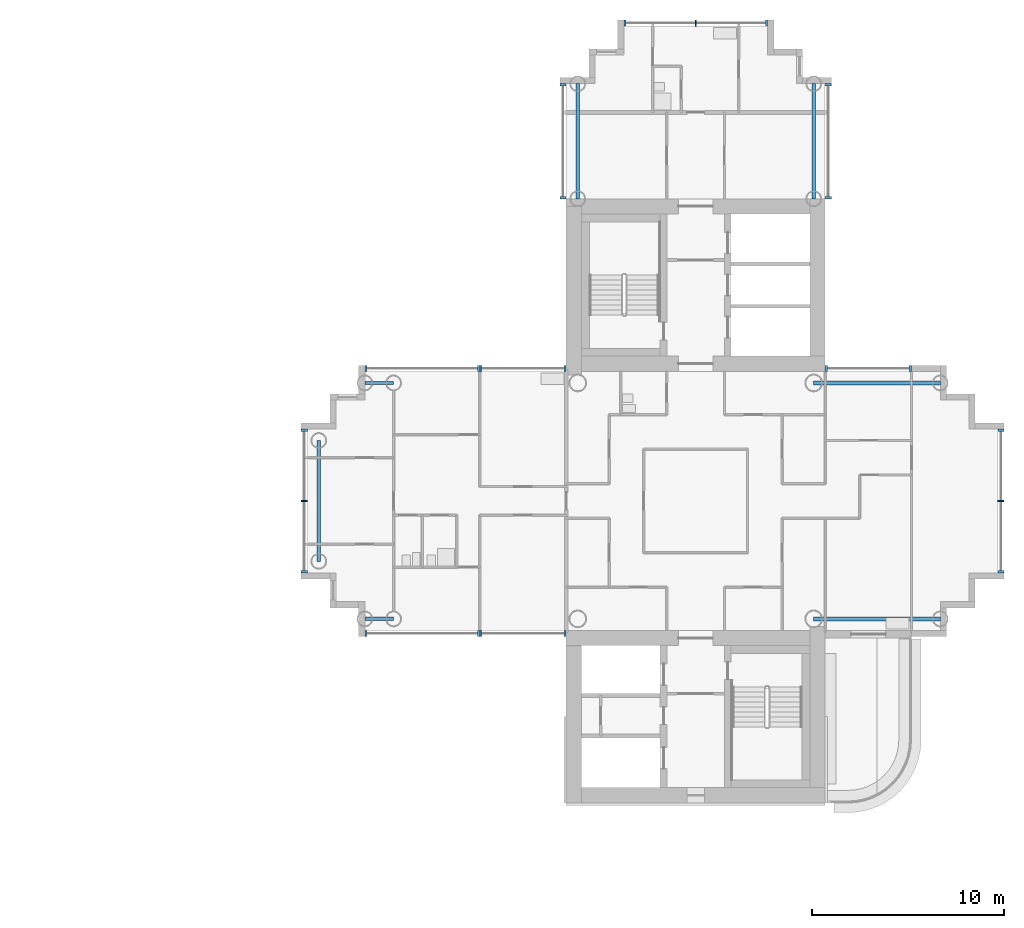
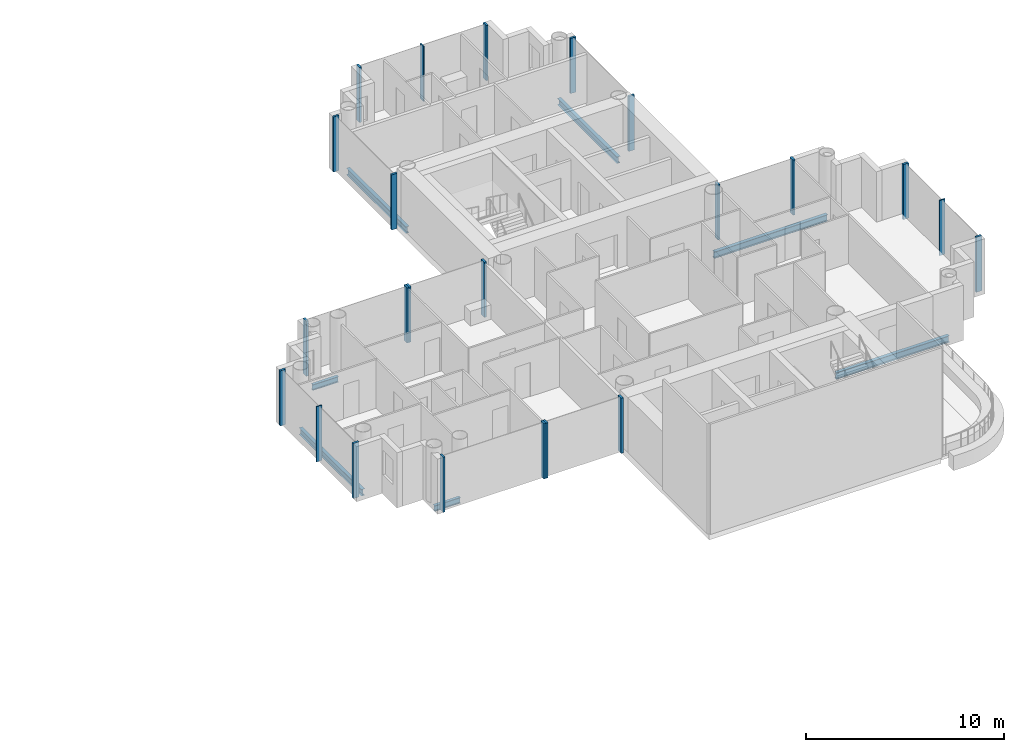
# One storey, part 4 of 20: 23 members, 7 beams, 10 elements without a shape of their own.
"""IFC4 building model written with IfcOpenShell, lengths in metres."""

from ifc_helpers import new_model, si_unit, direction, frame, origin, origin_2d, place, context, subcontext, project, spatial, rectangle, i_section, extrude, material, layer, layer_set, material_profile, profile_set, type_object, element, aggregate, save


model = new_model("IFC4")

# Units and contexts
model_context = context("Model", 3, precision=1e-05, world=origin(), true_north=direction((0.0, 1.0)))
body_context = subcontext(model_context, "Body", "Model", "MODEL_VIEW")
ifc_project = project(units=[si_unit("LENGTHUNIT", "METRE"), si_unit("AREAUNIT", "SQUARE_METRE"), si_unit("VOLUMEUNIT", "CUBIC_METRE"), si_unit("PLANEANGLEUNIT", "RADIAN"), si_unit("MASSUNIT", "GRAM", prefix="KILO")], contexts=[model_context])

# Site, building, storey
site_placement = place(None, origin())
site = spatial("IfcSite", under=ifc_project, at=site_placement, CompositionType="ELEMENT")
building_placement = place(site_placement, origin())
building = spatial("IfcBuilding", under=site, at=building_placement, Name="Ipe Terrace Towers", CompositionType="ELEMENT")
storey_placement = place(building_placement, frame((0.0, 0.0, 154.10009765625)))
storey = spatial("IfcBuildingStorey", under=building, at=storey_placement, Name="L42", CompositionType="ELEMENT", Elevation=154.10009765625)

# Beams
ifc_material_1 = material(Name="Steel S355", Category="steel")
ifc_material_profile_1 = material_profile(ifc_material_1, i_section(OverallWidth=0.175048828125, OverallDepth=0.35009765625, WebThickness=0.007080078125, FlangeThickness=0.010986328125, at=origin_2d()), Name="H-350x175x7x11")
ifc_profile_set_1 = profile_set([ifc_material_profile_1], Name="Steel S355")
beam_type_1 = type_object("IfcBeamType", Name="H04 EDGE BEAM H-350x175x7x11", PredefinedType="BEAM", material=ifc_profile_set_1)
for number, where, z_axis, x_axis, name in (
    (1, (20.25, 6.14990234375, -0.5751953125), (-1.0, 0.0, 0.0), (0.0, -1.0, 0.0), "Edge beam T2-EB-B03-B05"),
    (2, (20.25, -6.14990234375, -0.5751953125), (-1.0, 0.0, 0.0), (0.0, -1.0, 0.0), "Edge beam T2-EB-B04-B06"),
):
    element("IfcBeam", number, at=place(storey_placement, frame(where, z_axis=z_axis, x_axis=x_axis)), inside=storey, type_object=beam_type_1, Name=name, PredefinedType="BEAM", context=body_context, shape_type="SweptSolid", body=[
        extrude(i_section(OverallWidth=0.175048828125, OverallDepth=0.35009765625, WebThickness=0.007080078125, FlangeThickness=0.010986328125, at=origin_2d()), origin(), (0.0, 0.0, 1.0), 1.5),
    ])
ifc_material_2 = material(Name="Steel S355", Category="steel")
ifc_material_profile_2 = material_profile(ifc_material_2, i_section(OverallWidth=0.199951171875, OverallDepth=0.39990234375, WebThickness=0.008056640625, FlangeThickness=0.012939453125, at=origin_2d()), Name="H-400x200x8x13")
ifc_profile_set_2 = profile_set([ifc_material_profile_2], Name="Steel S355")
beam_type_2 = type_object("IfcBeamType", Name="H06 EDGE BEAM H-400x200x8x13", PredefinedType="BEAM", material=ifc_profile_set_2)
for number, where, z_axis, x_axis, name in (
    (3, (42.14990234375, 15.75, -0.60009765625), (0.0, 1.0, 0.0), (-1.0, 0.0, 0.0), "Edge beam T2-EB-A01-A03"),
    (4, (29.85009765625, 15.75, -0.60009765625), (0.0, 1.0, 0.0), (-1.0, 0.0, 0.0), "Edge beam T2-EB-A02-A04"),
):
    element("IfcBeam", number, at=place(storey_placement, frame(where, z_axis=z_axis, x_axis=x_axis)), inside=storey, type_object=beam_type_2, Name=name, PredefinedType="BEAM", context=body_context, shape_type="SweptSolid", body=[
        extrude(i_section(OverallWidth=0.199951171875, OverallDepth=0.39990234375, WebThickness=0.008056640625, FlangeThickness=0.012939453125, at=origin_2d()), origin(), (0.0, 0.0, 1.0), 6.0),
    ])
beam_placement = place(storey_placement, frame((16.35009765625, 3.14990234375, -0.60009765625), z_axis=(0.0, -1.0, 0.0), x_axis=(1.0, 0.0, 0.0)))
element("IfcBeam", 5, at=beam_placement, inside=storey, type_object=beam_type_2, Name="Edge beam T2-EB-B07-B08", PredefinedType="BEAM", context=body_context, shape_type="SweptSolid", body=[
    extrude(i_section(OverallWidth=0.199951171875, OverallDepth=0.39990234375, WebThickness=0.008056640625, FlangeThickness=0.012939453125, at=origin_2d()), origin(), (0.0, 0.0, 1.0), 6.2998046875),
])
for number, where, z_axis, x_axis, name in (
    (6, (48.75, -6.14990234375, -0.60009765625), (-1.0, 0.0, 0.0), (0.0, -1.0, 0.0), "Edge beam T2-EB-D01-E01"),
    (7, (48.75, 6.14990234375, -0.60009765625), (-1.0, 0.0, 0.0), (0.0, -1.0, 0.0), "Edge beam T2-EB-D02-E02"),
):
    element("IfcBeam", number, at=place(storey_placement, frame(where, z_axis=z_axis, x_axis=x_axis)), inside=storey, type_object=beam_type_2, Name=name, PredefinedType="BEAM", context=body_context, shape_type="SweptSolid", body=[
        extrude(i_section(OverallWidth=0.199951171875, OverallDepth=0.39990234375, WebThickness=0.008056640625, FlangeThickness=0.012939453125, at=origin_2d()), origin(), (0.0, 0.0, 1.0), 6.60009765625),
    ])

# Curtain wall, members
ifc_material_3 = material(Name="Aluminium alloy 6063-T6", Category="aluminium")
ifc_layer = layer(ifc_material_3, 0.320068359375)
ifc_layer_set = layer_set([ifc_layer], Name="TOWER UNITISED CURTAIN WALL")
curtain_wall_type = type_object("IfcCurtainWallType", Name="TOWER UNITISED CURTAIN WALL", PredefinedType="NOTDEFINED", material=ifc_layer_set)
curtain_wall_1_placement = place(storey_placement, origin())
curtain_wall_1 = element("IfcCurtainWall", 8, at=curtain_wall_1_placement, inside=storey, type_object=curtain_wall_type, Name="T2-CW-L42-08a curtain wall", PredefinedType="NOTDEFINED")
ifc_material_4 = material(Name="Aluminium alloy 6063-T6", Category="aluminium")
ifc_material_profile_3 = material_profile(ifc_material_4, rectangle(XDim=0.320068359375, YDim=0.1201171875, at=origin_2d()), Name="TOWER UNITISED CORNER MULLION 320 x 120")
ifc_profile_set_3 = profile_set([ifc_material_profile_3], Name="Aluminium alloy 6063-T6")
member_type_1 = type_object("IfcMemberType", Name="TOWER UNITISED CORNER MULLION 320 x 120", PredefinedType="MULLION", material=ifc_profile_set_3)
member_1_placement = place(storey_placement, frame((51.909912109375, -3.68994140625, -0.300048828125), z_axis=(0.0, 0.0, 1.0), x_axis=(1.0, 0.0, 0.0)))
member_1 = element("IfcMember", 9, at=member_1_placement, type_object=member_type_1, Name="T2-CW-L42-08a mullion 1", PredefinedType="MULLION", context=body_context, shape_type="SweptSolid", body=[
    extrude(rectangle(XDim=0.320068359375, YDim=0.1201171875, at=origin_2d()), origin(), (0.0, 0.0, 1.0), 3.39990234375),
])
member_2_placement = place(storey_placement, frame((51.909912109375, 3.68994140625, -0.300048828125), z_axis=(0.0, 0.0, 1.0), x_axis=(1.0, 0.0, 0.0)))
member_2 = element("IfcMember", 10, at=member_2_placement, type_object=member_type_1, Name="T2-CW-L42-08a mullion 3", PredefinedType="MULLION", context=body_context, shape_type="SweptSolid", body=[
    extrude(rectangle(XDim=0.320068359375, YDim=0.1201171875, at=origin_2d()), origin(), (0.0, 0.0, 1.0), 3.39990234375),
])

curtain_wall_2_placement = place(storey_placement, origin())
curtain_wall_2 = element("IfcCurtainWall", 11, at=curtain_wall_2_placement, inside=storey, type_object=curtain_wall_type, Name="T2-CW-L42-14a curtain wall", PredefinedType="NOTDEFINED")
member_3_placement = place(storey_placement, frame((47.18994140625, 6.909912109375, -0.300048828125), z_axis=(0.0, 0.0, 1.0), x_axis=(0.0, 1.0, 0.0)))
member_3 = element("IfcMember", 12, at=member_3_placement, type_object=member_type_1, Name="T2-CW-L42-14a mullion 1", PredefinedType="MULLION", context=body_context, shape_type="SweptSolid", body=[
    extrude(rectangle(XDim=0.320068359375, YDim=0.1201171875, at=origin_2d()), origin(), (0.0, 0.0, 1.0), 3.39990234375),
])
member_4_placement = place(storey_placement, frame((42.81005859375, 6.909912109375, -0.300048828125), z_axis=(0.0, 0.0, 1.0), x_axis=(0.0, 1.0, 0.0)))
member_4 = element("IfcMember", 13, at=member_4_placement, type_object=member_type_1, Name="T2-CW-L42-14a mullion 2", PredefinedType="MULLION", context=body_context, shape_type="SweptSolid", body=[
    extrude(rectangle(XDim=0.320068359375, YDim=0.1201171875, at=origin_2d()), origin(), (0.0, 0.0, 1.0), 3.39990234375),
])
aggregate(curtain_wall_2, [member_3, member_4])

curtain_wall_3_placement = place(storey_placement, origin())
curtain_wall_3 = element("IfcCurtainWall", 14, at=curtain_wall_3_placement, inside=storey, type_object=curtain_wall_type, Name="T2-CW-L42-16b curtain wall", PredefinedType="NOTDEFINED")
member_5_placement = place(storey_placement, frame((42.909912109375, 15.81103515625, -0.300048828125), z_axis=(0.0, 0.0, 1.0), x_axis=(1.0, 0.0, 0.0)))
member_5 = element("IfcMember", 15, at=member_5_placement, type_object=member_type_1, Name="T2-CW-L42-16b mullion 1", PredefinedType="MULLION", context=body_context, shape_type="SweptSolid", body=[
    extrude(rectangle(XDim=0.320068359375, YDim=0.1201171875, at=origin_2d()), origin(), (0.0, 0.0, 1.0), 3.39990234375),
])
member_6_placement = place(storey_placement, frame((42.909912109375, 21.68994140625, -0.300048828125), z_axis=(0.0, 0.0, 1.0), x_axis=(1.0, 0.0, 0.0)))
member_6 = element("IfcMember", 16, at=member_6_placement, type_object=member_type_1, Name="T2-CW-L42-16b mullion 2", PredefinedType="MULLION", context=body_context, shape_type="SweptSolid", body=[
    extrude(rectangle(XDim=0.320068359375, YDim=0.1201171875, at=origin_2d()), origin(), (0.0, 0.0, 1.0), 3.39990234375),
])
aggregate(curtain_wall_3, [member_5, member_6])

curtain_wall_4_placement = place(storey_placement, origin())
curtain_wall_4 = element("IfcCurtainWall", 17, at=curtain_wall_4_placement, inside=storey, type_object=curtain_wall_type, Name="T2-CW-L42-21a curtain wall", PredefinedType="NOTDEFINED")
member_7_placement = place(storey_placement, frame((39.68994140625, 24.909912109375, -0.300048828125), z_axis=(0.0, 0.0, 1.0), x_axis=(0.0, 1.0, 0.0)))
member_7 = element("IfcMember", 18, at=member_7_placement, type_object=member_type_1, Name="T2-CW-L42-21a mullion 1", PredefinedType="MULLION", context=body_context, shape_type="SweptSolid", body=[
    extrude(rectangle(XDim=0.320068359375, YDim=0.1201171875, at=origin_2d()), origin(), (0.0, 0.0, 1.0), 3.39990234375),
])
member_8_placement = place(storey_placement, frame((32.31005859375, 24.909912109375, -0.300048828125), z_axis=(0.0, 0.0, 1.0), x_axis=(0.0, 1.0, 0.0)))
member_8 = element("IfcMember", 19, at=member_8_placement, type_object=member_type_1, Name="T2-CW-L42-21a mullion 3", PredefinedType="MULLION", context=body_context, shape_type="SweptSolid", body=[
    extrude(rectangle(XDim=0.320068359375, YDim=0.1201171875, at=origin_2d()), origin(), (0.0, 0.0, 1.0), 3.39990234375),
])

curtain_wall_5_placement = place(storey_placement, origin())
curtain_wall_5 = element("IfcCurtainWall", 20, at=curtain_wall_5_placement, inside=storey, type_object=curtain_wall_type, Name="T2-CW-L42-26a curtain wall", PredefinedType="NOTDEFINED")
member_9_placement = place(storey_placement, frame((29.090087890625, 21.68994140625, -0.300048828125), z_axis=(0.0, 0.0, 1.0), x_axis=(-1.0, 0.0, 0.0)))
member_9 = element("IfcMember", 21, at=member_9_placement, type_object=member_type_1, Name="T2-CW-L42-26a mullion 1", PredefinedType="MULLION", context=body_context, shape_type="SweptSolid", body=[
    extrude(rectangle(XDim=0.320068359375, YDim=0.1201171875, at=origin_2d()), origin(), (0.0, 0.0, 1.0), 3.39990234375),
])
member_10_placement = place(storey_placement, frame((29.090087890625, 15.81103515625, -0.300048828125), z_axis=(0.0, 0.0, 1.0), x_axis=(-1.0, 0.0, 0.0)))
member_10 = element("IfcMember", 22, at=member_10_placement, type_object=member_type_1, Name="T2-CW-L42-26a mullion 2", PredefinedType="MULLION", context=body_context, shape_type="SweptSolid", body=[
    extrude(rectangle(XDim=0.320068359375, YDim=0.1201171875, at=origin_2d()), origin(), (0.0, 0.0, 1.0), 3.39990234375),
])
aggregate(curtain_wall_5, [member_9, member_10])

curtain_wall_6_placement = place(storey_placement, origin())
curtain_wall_6 = element("IfcCurtainWall", 23, at=curtain_wall_6_placement, inside=storey, type_object=curtain_wall_type, Name="T2-CW-L42-28a curtain wall", PredefinedType="NOTDEFINED")
member_11_placement = place(storey_placement, frame((29.18994140625, 6.909912109375, -0.300048828125), z_axis=(0.0, 0.0, 1.0), x_axis=(0.0, 1.0, 0.0)))
member_11 = element("IfcMember", 24, at=member_11_placement, type_object=member_type_1, Name="T2-CW-L42-28a mullion 1", PredefinedType="MULLION", context=body_context, shape_type="SweptSolid", body=[
    extrude(rectangle(XDim=0.320068359375, YDim=0.1201171875, at=origin_2d()), origin(), (0.0, 0.0, 1.0), 3.39990234375),
])
member_12_placement = place(storey_placement, frame((24.81005859375, 6.909912109375, -0.300048828125), z_axis=(0.0, 0.0, 1.0), x_axis=(0.0, 1.0, 0.0)))
member_12 = element("IfcMember", 25, at=member_12_placement, type_object=member_type_1, Name="T2-CW-L42-28a mullion 2", PredefinedType="MULLION", context=body_context, shape_type="SweptSolid", body=[
    extrude(rectangle(XDim=0.320068359375, YDim=0.1201171875, at=origin_2d()), origin(), (0.0, 0.0, 1.0), 3.39990234375),
])
aggregate(curtain_wall_6, [member_11, member_12])

curtain_wall_7_placement = place(storey_placement, origin())
curtain_wall_7 = element("IfcCurtainWall", 26, at=curtain_wall_7_placement, inside=storey, type_object=curtain_wall_type, Name="T2-CW-L42-29a curtain wall", PredefinedType="NOTDEFINED")
member_13_placement = place(storey_placement, frame((24.68994140625, 6.909912109375, -0.300048828125), z_axis=(0.0, 0.0, 1.0), x_axis=(0.0, 1.0, 0.0)))
member_13 = element("IfcMember", 27, at=member_13_placement, type_object=member_type_1, Name="T2-CW-L42-29a mullion 1", PredefinedType="MULLION", context=body_context, shape_type="SweptSolid", body=[
    extrude(rectangle(XDim=0.320068359375, YDim=0.1201171875, at=origin_2d()), origin(), (0.0, 0.0, 1.0), 3.39990234375),
])
member_14_placement = place(storey_placement, frame((18.81005859375, 6.909912109375, -0.300048828125), z_axis=(0.0, 0.0, 1.0), x_axis=(0.0, 1.0, 0.0)))
member_14 = element("IfcMember", 28, at=member_14_placement, type_object=member_type_1, Name="T2-CW-L42-29a mullion 2", PredefinedType="MULLION", context=body_context, shape_type="SweptSolid", body=[
    extrude(rectangle(XDim=0.320068359375, YDim=0.1201171875, at=origin_2d()), origin(), (0.0, 0.0, 1.0), 3.39990234375),
])
aggregate(curtain_wall_7, [member_13, member_14])

curtain_wall_8_placement = place(storey_placement, origin())
curtain_wall_8 = element("IfcCurtainWall", 29, at=curtain_wall_8_placement, inside=storey, type_object=curtain_wall_type, Name="T2-CW-L42-34a curtain wall", PredefinedType="NOTDEFINED")
member_15_placement = place(storey_placement, frame((15.590087890625, 3.68994140625, -0.300048828125), z_axis=(0.0, 0.0, 1.0), x_axis=(-1.0, 0.0, 0.0)))
member_15 = element("IfcMember", 30, at=member_15_placement, type_object=member_type_1, Name="T2-CW-L42-34a mullion 1", PredefinedType="MULLION", context=body_context, shape_type="SweptSolid", body=[
    extrude(rectangle(XDim=0.320068359375, YDim=0.1201171875, at=origin_2d()), origin(), (0.0, 0.0, 1.0), 3.39990234375),
])
member_16_placement = place(storey_placement, frame((15.590087890625, -3.68994140625, -0.300048828125), z_axis=(0.0, 0.0, 1.0), x_axis=(-1.0, 0.0, 0.0)))
member_16 = element("IfcMember", 31, at=member_16_placement, type_object=member_type_1, Name="T2-CW-L42-34a mullion 3", PredefinedType="MULLION", context=body_context, shape_type="SweptSolid", body=[
    extrude(rectangle(XDim=0.320068359375, YDim=0.1201171875, at=origin_2d()), origin(), (0.0, 0.0, 1.0), 3.39990234375),
])

curtain_wall_9_placement = place(storey_placement, origin())
curtain_wall_9 = element("IfcCurtainWall", 32, at=curtain_wall_9_placement, inside=storey, type_object=curtain_wall_type, Name="T2-CW-L42-39a curtain wall", PredefinedType="NOTDEFINED")
member_17_placement = place(storey_placement, frame((18.81005859375, -6.909912109375, -0.300048828125), z_axis=(0.0, 0.0, 1.0), x_axis=(0.0, -1.0, 0.0)))
member_17 = element("IfcMember", 33, at=member_17_placement, type_object=member_type_1, Name="T2-CW-L42-39a mullion 1", PredefinedType="MULLION", context=body_context, shape_type="SweptSolid", body=[
    extrude(rectangle(XDim=0.320068359375, YDim=0.1201171875, at=origin_2d()), origin(), (0.0, 0.0, 1.0), 3.39990234375),
])
member_18_placement = place(storey_placement, frame((24.68994140625, -6.909912109375, -0.300048828125), z_axis=(0.0, 0.0, 1.0), x_axis=(0.0, -1.0, 0.0)))
member_18 = element("IfcMember", 34, at=member_18_placement, type_object=member_type_1, Name="T2-CW-L42-39a mullion 2", PredefinedType="MULLION", context=body_context, shape_type="SweptSolid", body=[
    extrude(rectangle(XDim=0.320068359375, YDim=0.1201171875, at=origin_2d()), origin(), (0.0, 0.0, 1.0), 3.39990234375),
])
aggregate(curtain_wall_9, [member_17, member_18])

curtain_wall_10_placement = place(storey_placement, origin())
curtain_wall_10 = element("IfcCurtainWall", 35, at=curtain_wall_10_placement, inside=storey, type_object=curtain_wall_type, Name="T2-CW-L42-40a curtain wall", PredefinedType="NOTDEFINED")
member_19_placement = place(storey_placement, frame((24.81005859375, -6.909912109375, -0.300048828125), z_axis=(0.0, 0.0, 1.0), x_axis=(0.0, -1.0, 0.0)))
member_19 = element("IfcMember", 36, at=member_19_placement, type_object=member_type_1, Name="T2-CW-L42-40a mullion 1", PredefinedType="MULLION", context=body_context, shape_type="SweptSolid", body=[
    extrude(rectangle(XDim=0.320068359375, YDim=0.1201171875, at=origin_2d()), origin(), (0.0, 0.0, 1.0), 3.39990234375),
])
member_20_placement = place(storey_placement, frame((29.18994140625, -6.909912109375, -0.300048828125), z_axis=(0.0, 0.0, 1.0), x_axis=(0.0, -1.0, 0.0)))
member_20 = element("IfcMember", 37, at=member_20_placement, type_object=member_type_1, Name="T2-CW-L42-40a mullion 2", PredefinedType="MULLION", context=body_context, shape_type="SweptSolid", body=[
    extrude(rectangle(XDim=0.320068359375, YDim=0.1201171875, at=origin_2d()), origin(), (0.0, 0.0, 1.0), 3.39990234375),
])
aggregate(curtain_wall_10, [member_19, member_20])

# Member
ifc_material_5 = material(Name="Aluminium alloy 6063-T6", Category="aluminium")
ifc_material_profile_4 = material_profile(ifc_material_5, rectangle(XDim=0.320068359375, YDim=0.06494140625, at=origin_2d()), Name="TOWER UNITISED MULLION 320 x 65")
ifc_profile_set_4 = profile_set([ifc_material_profile_4], Name="Aluminium alloy 6063-T6")
member_type_2 = type_object("IfcMemberType", Name="TOWER UNITISED MULLION 320 x 65", PredefinedType="MULLION", material=ifc_profile_set_4)
member_21_placement = place(storey_placement, frame((51.909912109375, 0.0, -0.300048828125), z_axis=(0.0, 0.0, 1.0), x_axis=(1.0, 0.0, 0.0)))
member_21 = element("IfcMember", 38, at=member_21_placement, type_object=member_type_2, Name="T2-CW-L42-08a mullion 2", PredefinedType="MULLION", context=body_context, shape_type="SweptSolid", body=[
    extrude(rectangle(XDim=0.320068359375, YDim=0.06494140625, at=origin_2d()), origin(), (0.0, 0.0, 1.0), 3.39990234375),
])

aggregate(curtain_wall_1, [member_1, member_21, member_2])

member_22_placement = place(storey_placement, frame((36.0, 24.909912109375, -0.300048828125), z_axis=(0.0, 0.0, 1.0), x_axis=(0.0, 1.0, 0.0)))
member_22 = element("IfcMember", 39, at=member_22_placement, type_object=member_type_2, Name="T2-CW-L42-21a mullion 2", PredefinedType="MULLION", context=body_context, shape_type="SweptSolid", body=[
    extrude(rectangle(XDim=0.320068359375, YDim=0.06494140625, at=origin_2d()), origin(), (0.0, 0.0, 1.0), 3.39990234375),
])

aggregate(curtain_wall_4, [member_7, member_22, member_8])

member_23_placement = place(storey_placement, frame((15.590087890625, 0.0, -0.300048828125), z_axis=(0.0, 0.0, 1.0), x_axis=(-1.0, 0.0, 0.0)))
member_23 = element("IfcMember", 40, at=member_23_placement, type_object=member_type_2, Name="T2-CW-L42-34a mullion 2", PredefinedType="MULLION", context=body_context, shape_type="SweptSolid", body=[
    extrude(rectangle(XDim=0.320068359375, YDim=0.06494140625, at=origin_2d()), origin(), (0.0, 0.0, 1.0), 3.39990234375),
])

aggregate(curtain_wall_8, [member_15, member_23, member_16])

save(model, "model.ifc")
